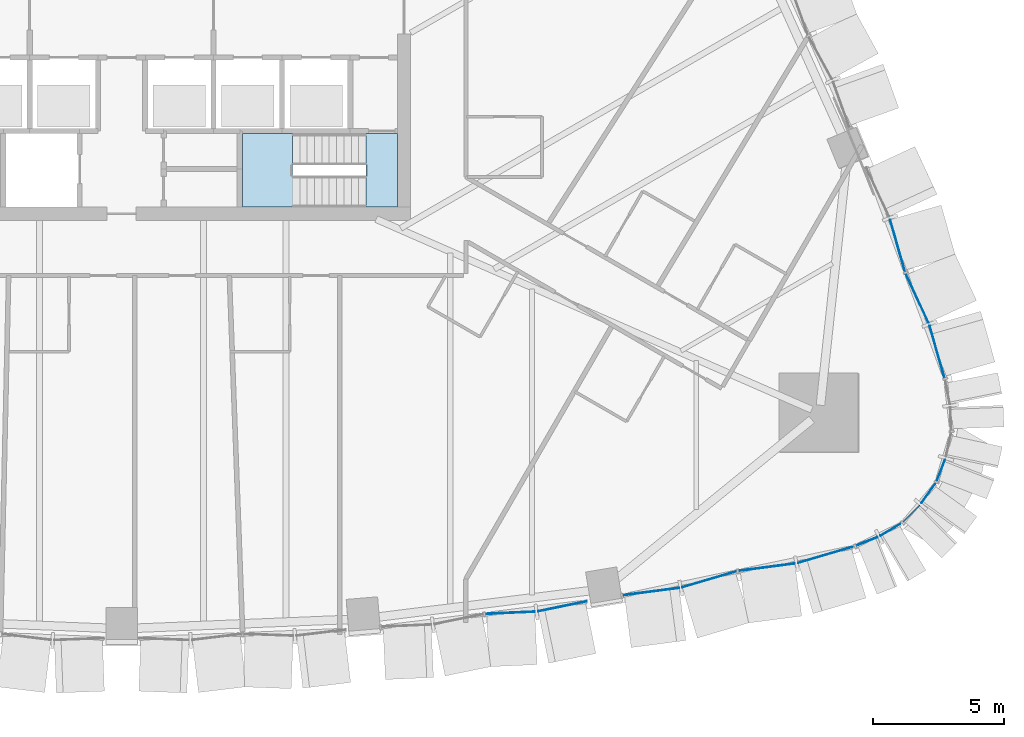
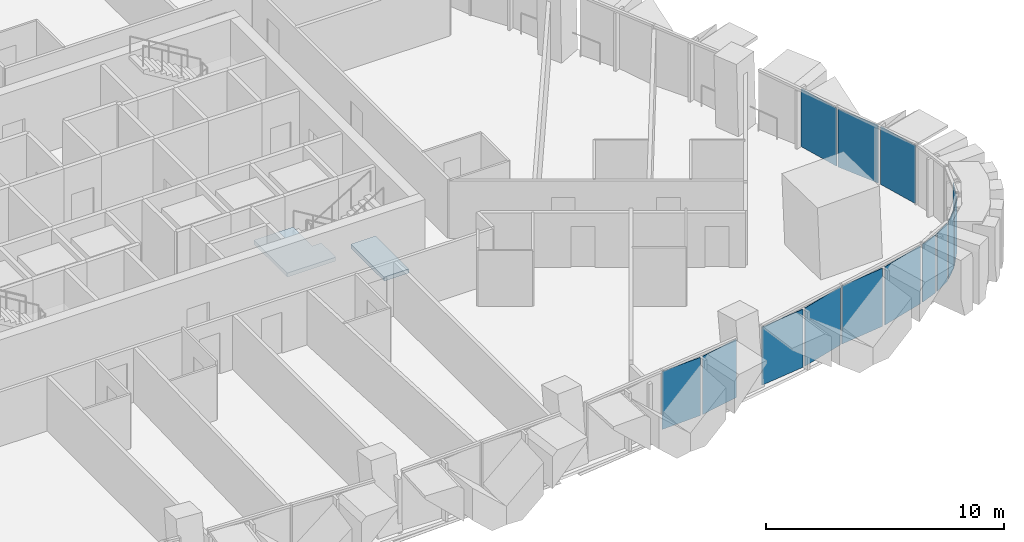
# One storey, part 10 of 23: 14 plates, 2 slabs, 7 elements without a shape of their own.
"""IFC4 building model written with IfcOpenShell, lengths in metres."""

from ifc_helpers import new_model, si_unit, direction, frame, origin, place, context, subcontext, project, spatial, polyline, outline, extrude, material, layer, layer_set, type_object, element, aggregate, save


model = new_model("IFC4")

# Units and contexts
model_context = context("Model", 3, precision=1e-05, world=origin(), true_north=direction((0.0, 1.0)))
body_context = subcontext(model_context, "Body", "Model", "MODEL_VIEW")
ifc_project = project(units=[si_unit("LENGTHUNIT", "METRE"), si_unit("AREAUNIT", "SQUARE_METRE"), si_unit("VOLUMEUNIT", "CUBIC_METRE"), si_unit("PLANEANGLEUNIT", "RADIAN"), si_unit("MASSUNIT", "GRAM", prefix="KILO")], contexts=[model_context])

# Site, building, storey
site_placement = place(None, origin())
site = spatial("IfcSite", under=ifc_project, at=site_placement, CompositionType="ELEMENT")
building_placement = place(site_placement, origin())
building = spatial("IfcBuilding", under=site, at=building_placement, Name="Sierra Prisma Convention Tower", CompositionType="ELEMENT")
storey_placement = place(building_placement, frame((0.0, 0.0, 70.199951171875)))
storey = spatial("IfcBuildingStorey", under=building, at=storey_placement, Name="L13", CompositionType="ELEMENT", Elevation=70.199951171875)

# Curtain wall, plates
ifc_material_1 = material(Name="Aluminium and glass curtain wall", Category="aluminium")
ifc_layer_1 = layer(ifc_material_1, 0.179931640625)
ifc_layer_set_1 = layer_set([ifc_layer_1], Name="CW-2 Faceted crystal curtain wall")
curtain_wall_type = type_object("IfcCurtainWallType", Name="CW-2 Faceted crystal curtain wall", PredefinedType="NOTDEFINED", material=ifc_layer_set_1)
curtain_wall_1_placement = place(storey_placement, origin())
curtain_wall_1 = element("IfcCurtainWall", 1, at=curtain_wall_1_placement, inside=storey, type_object=curtain_wall_type, Name="CW-2 S5 L13", PredefinedType="NOTDEFINED")
ifc_material_2 = material(Name="Tinted glass bronze-grey IGU", Category="glass")
ifc_layer_2 = layer(ifc_material_2, 0.028076171875)
ifc_layer_set_2 = layer_set([ifc_layer_2], Name="CW-2 crystal pane")
plate_type = type_object("IfcPlateType", Name="CW-2 crystal pane", PredefinedType="CURTAIN_PANEL", material=ifc_layer_set_2)
plate_1_placement = place(storey_placement, frame((13.833740234375, -22.993408203125, 0.0), z_axis=(0.044617971648, -0.999004122417, 0.0), x_axis=(0.999004122417, 0.044617971648, 0.0)))
plate_1 = element("IfcPlate", 2, at=plate_1_placement, type_object=plate_type, Name="CW-2 pane S5.2.1", PredefinedType="CURTAIN_PANEL", context=body_context, shape_type="SweptSolid", body=[
    extrude(outline(polyline([(0.0, 0.0), (1.8932428599985731, 0.0), (1.8932428599985731, 2.9799804687499996), (0.0, 2.9799804687499996), (0.0, 0.0)])), origin(), (0.0, 0.0, -1.0), 0.028076171875),
])
plate_2_placement = place(storey_placement, frame((17.70849609375, -22.513671875, 0.0), z_axis=(0.2004046758, -0.979713205952, 0.0), x_axis=(-0.979713205952, -0.2004046758, 0.0)))
plate_2 = element("IfcPlate", 3, at=plate_2_placement, type_object=plate_type, Name="CW-2 pane S5.2.2", PredefinedType="CURTAIN_PANEL", context=body_context, shape_type="SweptSolid", body=[
    extrude(outline(polyline([(0.0, 0.0), (1.8931421122591445, 0.0), (1.8931421122591445, -2.97998046875), (0.0, -2.97998046875), (0.0, 0.0)])), origin(), (0.0, 0.0, -1.0), 0.028076171875),
])
aggregate(curtain_wall_1, [plate_1, plate_2])

curtain_wall_2_placement = place(storey_placement, origin())
curtain_wall_2 = element("IfcCurtainWall", 4, at=curtain_wall_2_placement, inside=storey, type_object=curtain_wall_type, Name="CW-2 S6 L13", PredefinedType="NOTDEFINED")
plate_3_placement = place(storey_placement, frame((19.075927734375, -22.283203125, 0.0), z_axis=(0.12879291344, -0.991671510858, 0.0), x_axis=(0.991671510858, 0.12879291344, 0.0)))
plate_3 = element("IfcPlate", 5, at=plate_3_placement, type_object=plate_type, Name="CW-2 pane S6.1.1", PredefinedType="CURTAIN_PANEL", context=body_context, shape_type="SweptSolid", body=[
    extrude(outline(polyline([(0.0, 0.0), (2.159095282869609, 0.0), (2.159095282869609, 2.97998046875), (0.0, 2.97998046875), (0.0, 0.0)])), origin(), (0.0, 0.0, -1.0), 0.028076171875),
])
plate_4_placement = place(storey_placement, frame((23.4150390625, -21.368896484375, 0.0), z_axis=(0.282374481095, -0.959304254356, 0.0), x_axis=(-0.959304254356, -0.282374481095, 0.0)))
plate_4 = element("IfcPlate", 6, at=plate_4_placement, type_object=plate_type, Name="CW-2 pane S6.1.2", PredefinedType="CURTAIN_PANEL", context=body_context, shape_type="SweptSolid", body=[
    extrude(outline(polyline([(0.0, 0.0), (2.158903093017514, 0.0), (2.158903093017514, -2.97998046875), (0.0, -2.97998046875), (0.0, 0.0)])), origin(), (0.0, 0.0, -1.0), 0.028076171875),
])
plate_5_placement = place(storey_placement, frame((23.483642578125, -21.3544921875, 0.0), z_axis=(0.12879291344, -0.991671510858, 0.0), x_axis=(0.991671510858, 0.12879291344, 0.0)))
plate_5 = element("IfcPlate", 7, at=plate_5_placement, type_object=plate_type, Name="CW-2 pane S6.2.1", PredefinedType="CURTAIN_PANEL", context=body_context, shape_type="SweptSolid", body=[
    extrude(outline(polyline([(0.0, 0.0), (2.159095282869609, 0.0), (2.159095282869609, 2.97998046875), (0.0, 2.97998046875), (0.0, 0.0)])), origin(), (0.0, 0.0, -1.0), 0.028076171875),
])
plate_6_placement = place(storey_placement, frame((27.82275390625, -20.440185546875, 0.0), z_axis=(0.282343851331, -0.959313269801, 0.0), x_axis=(-0.959313269801, -0.282343851331, 0.0)))
plate_6 = element("IfcPlate", 8, at=plate_6_placement, type_object=plate_type, Name="CW-2 pane S6.2.2", PredefinedType="CURTAIN_PANEL", context=body_context, shape_type="SweptSolid", body=[
    extrude(outline(polyline([(0.0, 0.0), (2.1591372992583153, 0.0), (2.1591372992583153, -2.97998046875), (0.0, -2.97998046875), (0.0, 0.0)])), origin(), (0.0, 0.0, -1.0), 0.028076171875),
])
aggregate(curtain_wall_2, [plate_3, plate_4, plate_5, plate_6])

curtain_wall_3_placement = place(storey_placement, origin())
curtain_wall_3 = element("IfcCurtainWall", 9, at=curtain_wall_3_placement, inside=storey, type_object=curtain_wall_type, Name="CW-2 SE1 L13", PredefinedType="NOTDEFINED")
plate_7_placement = place(storey_placement, frame((27.9541015625, -20.39501953125, 0.0), z_axis=(0.369085985289, -0.92939525255, 0.0), x_axis=(0.92939525255, 0.369085985289, 0.0)))
plate_7 = element("IfcPlate", 10, at=plate_7_placement, type_object=plate_type, Name="CW-2 pane SE1.1.1", PredefinedType="CURTAIN_PANEL", context=body_context, shape_type="SweptSolid", body=[
    extrude(outline(polyline([(0.0, 0.0), (0.8771139562400017, 0.0), (0.8771139562400017, 2.9799804687500004), (0.0, 2.9799804687500004), (0.0, 0.0)])), origin(), (0.0, 0.0, -1.0), 0.028076171875),
])
plate_8_placement = place(storey_placement, frame((29.640380859375, -19.567138671875, 0.0), z_axis=(0.509863419375, -0.860255365332, 0.0), x_axis=(-0.860255365332, -0.509863419375, 0.0)))
plate_8 = element("IfcPlate", 11, at=plate_8_placement, type_object=plate_type, Name="CW-2 pane SE1.1.2", PredefinedType="CURTAIN_PANEL", context=body_context, shape_type="SweptSolid", body=[
    extrude(outline(polyline([(0.0, 0.0), (0.8772263472992046, 0.0), (0.8772263472992046, -2.97998046875), (0.0, -2.97998046875), (0.0, 0.0)])), origin(), (0.0, 0.0, -1.0), 0.028076171875),
])
aggregate(curtain_wall_3, [plate_7, plate_8])

curtain_wall_4_placement = place(storey_placement, origin())
curtain_wall_4 = element("IfcCurtainWall", 12, at=curtain_wall_4_placement, inside=storey, type_object=curtain_wall_type, Name="CW-2 SE2 L13", PredefinedType="NOTDEFINED")
plate_9_placement = place(storey_placement, frame((29.74853515625, -19.48291015625, 0.0), z_axis=(0.709191193572, -0.705016206168, 0.0), x_axis=(0.705016206168, 0.709191193572, 0.0)))
plate_9 = element("IfcPlate", 13, at=plate_9_placement, type_object=plate_type, Name="CW-2 pane SE2.1.1", PredefinedType="CURTAIN_PANEL", context=body_context, shape_type="SweptSolid", body=[
    extrude(outline(polyline([(0.0, 0.0), (0.8771545926381159, 0.0), (0.8771545926381159, 2.97998046875), (0.0, 2.97998046875), (0.0, 0.0)])), origin(), (0.0, 0.0, -1.0), 0.028076171875),
])
plate_10_placement = place(storey_placement, frame((30.964111328125, -18.05078125, 0.0), z_axis=(0.810789305931, -0.585338108607, 0.0), x_axis=(-0.585338108607, -0.810789305931, 0.0)))
plate_10 = element("IfcPlate", 14, at=plate_10_placement, type_object=plate_type, Name="CW-2 pane SE2.1.2", PredefinedType="CURTAIN_PANEL", context=body_context, shape_type="SweptSolid", body=[
    extrude(outline(polyline([(0.0, 0.0), (0.877147287738788, 0.0), (0.877147287738788, -2.97998046875), (0.0, -2.97998046875), (0.0, 0.0)])), origin(), (0.0, 0.0, -1.0), 0.028076171875),
])
aggregate(curtain_wall_4, [plate_9, plate_10])

# Curtain wall, plate
curtain_wall_5_placement = place(storey_placement, origin())
curtain_wall_5 = element("IfcCurtainWall", 15, at=curtain_wall_5_placement, inside=storey, type_object=curtain_wall_type, Name="CW-2 SE3 L13", PredefinedType="NOTDEFINED")
plate_11_placement = place(storey_placement, frame((31.02978515625, -17.930419921875, 0.0), z_axis=(0.931816511999, -0.362929728688, 0.0), x_axis=(0.362929728688, 0.931816511999, 0.0)))
plate_11 = element("IfcPlate", 16, at=plate_11_placement, type_object=plate_type, Name="CW-2 pane SE3.1.1", PredefinedType="CURTAIN_PANEL", context=body_context, shape_type="SweptSolid", body=[
    extrude(outline(polyline([(0.0, 0.0), (0.877192882905921, 0.0), (0.877192882905921, 2.9799804687500004), (0.0, 2.9799804687500004), (0.0, 0.0)])), origin(), (0.0, 0.0, -1.0), 0.028076171875),
])
aggregate(curtain_wall_5, [plate_11])

# Curtain wall, plates
curtain_wall_6_placement = place(storey_placement, origin())
curtain_wall_6 = element("IfcCurtainWall", 17, at=curtain_wall_6_placement, inside=storey, type_object=curtain_wall_type, Name="CW-2 NE1 L13", PredefinedType="NOTDEFINED")
plate_12_placement = place(storey_placement, frame((31.33154296875, -13.99462890625, 0.0), z_axis=(0.96172922109, 0.274001652007, 0.0), x_axis=(-0.274001652007, 0.96172922109, 0.0)))
plate_12 = element("IfcPlate", 18, at=plate_12_placement, type_object=plate_type, Name="CW-2 pane NE1.1.1", PredefinedType="CURTAIN_PANEL", context=body_context, shape_type="SweptSolid", body=[
    extrude(outline(polyline([(0.0, 0.0), (2.0618175186604484, 0.0), (2.0618175186604484, 2.97998046875), (0.0, 2.97998046875), (0.0, 0.0)])), origin(), (0.0, 0.0, -1.0), 0.028076171875),
])
plate_13_placement = place(storey_placement, frame((29.85302734375, -10.019775390625, 0.0), z_axis=(0.907004122669, 0.421121741853, 0.0), x_axis=(0.421121741853, -0.907004122669, 0.0)))
plate_13 = element("IfcPlate", 19, at=plate_13_placement, type_object=plate_type, Name="CW-2 pane NE1.1.2", PredefinedType="CURTAIN_PANEL", context=body_context, shape_type="SweptSolid", body=[
    extrude(outline(polyline([(0.0, 0.0), (2.0621310106296122, 0.0), (2.0621310106296122, -2.97998046875), (0.0, -2.97998046875), (0.0, 0.0)])), origin(), (0.0, 0.0, -1.0), 0.028076171875),
])
plate_14_placement = place(storey_placement, frame((29.82861328125, -9.9541015625, 0.0), z_axis=(0.961698012905, 0.274111167185, 0.0), x_axis=(-0.274111167185, 0.961698012905, 0.0)))
plate_14 = element("IfcPlate", 20, at=plate_14_placement, type_object=plate_type, Name="CW-2 pane NE1.2.1", PredefinedType="CURTAIN_PANEL", context=body_context, shape_type="SweptSolid", body=[
    extrude(outline(polyline([(0.0, 0.0), (2.061884426963789, 0.0), (2.061884426963789, 2.97998046875), (0.0, 2.97998046875), (0.0, 0.0)])), origin(), (0.0, 0.0, -1.0), 0.028076171875),
])
aggregate(curtain_wall_6, [plate_12, plate_13, plate_14])

# Stair, slab
ifc_material_3 = material(Name="Concrete C30/37", Category="concrete")
stair_type = type_object("IfcStairType", Name="Stair dog-leg 1200 RC", PredefinedType="HALF_TURN_STAIR", material=ifc_material_3)
stair_placement = place(storey_placement, origin())
stair = element("IfcStair", 21, at=stair_placement, inside=storey, type_object=stair_type, Name="L13 S2", PredefinedType="HALF_TURN_STAIR")
ifc_material_4 = material(Name="Concrete C35/45", Category="concrete")
ifc_layer_3 = layer(ifc_material_4, 0.199951171875)
ifc_layer_set_3 = layer_set([ifc_layer_3], Name="Stair landing slab")
slab_type = type_object("IfcSlabType", Name="Stair landing slab", PredefinedType="LANDING", material=ifc_layer_set_3)
slab_1_placement = place(storey_placement, frame((0.0, 0.0, 1.650146484375)))
slab_1 = element("IfcSlab", 22, at=slab_1_placement, type_object=slab_type, Name="S2 landing 1", PredefinedType="LANDING", context=body_context, shape_type="SweptSolid", body=[
    extrude(outline(polyline([(6.949951171875, -6.300048828125), (6.949951171875, -7.5), (4.60009765625, -7.5), (4.60009765625, -4.699951171875), (6.501953125, -4.699951171875), (6.501953125, -6.300048828125), (6.949951171875, -6.300048828125)])), origin(), (0.0, 0.0, 1.0), 0.199951171875),
])
aggregate(stair, [slab_1])

# Slab
slab_2_placement = place(storey_placement, frame((0.0, 0.0, -0.199951171875)))
element("IfcSlab", 23, at=slab_2_placement, inside=storey, type_object=slab_type, Name="S2 floor landing L13", PredefinedType="LANDING", context=body_context, shape_type="SweptSolid", body=[
    extrude(outline(polyline([(10.5, -4.699951171875), (9.298095703125, -4.699951171875), (9.298095703125, -7.5), (10.5, -7.5), (10.5, -4.699951171875)])), origin(), (0.0, 0.0, 1.0), 0.199951171875),
])

save(model, "model.ifc")
